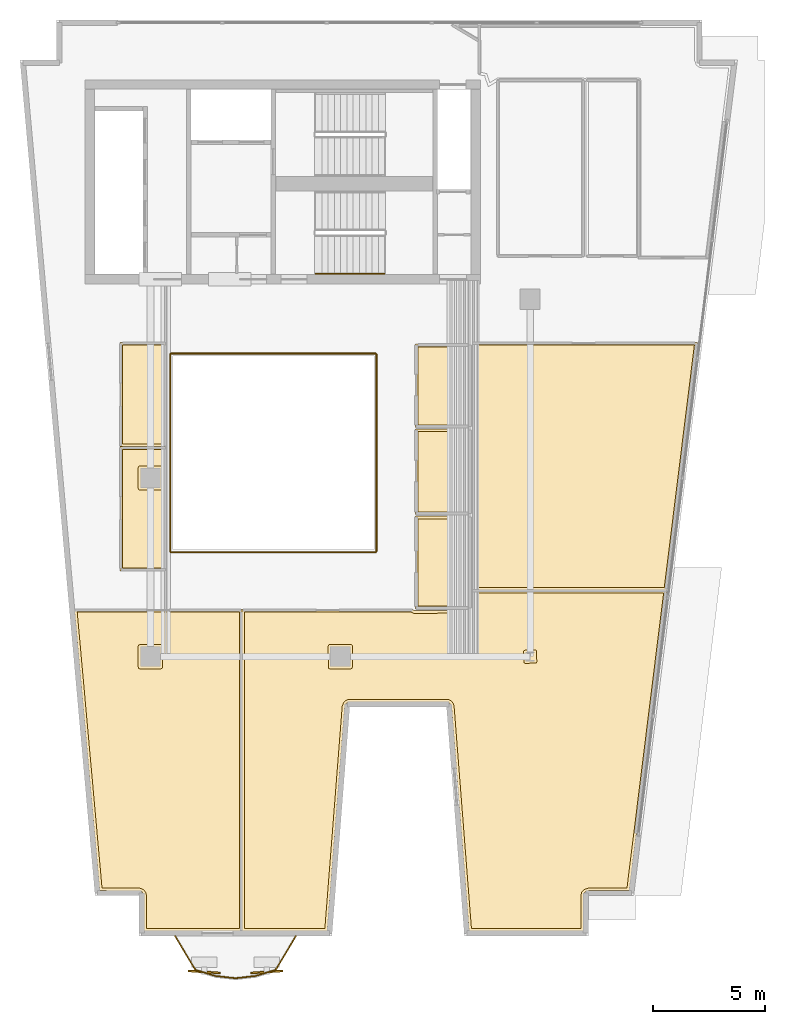
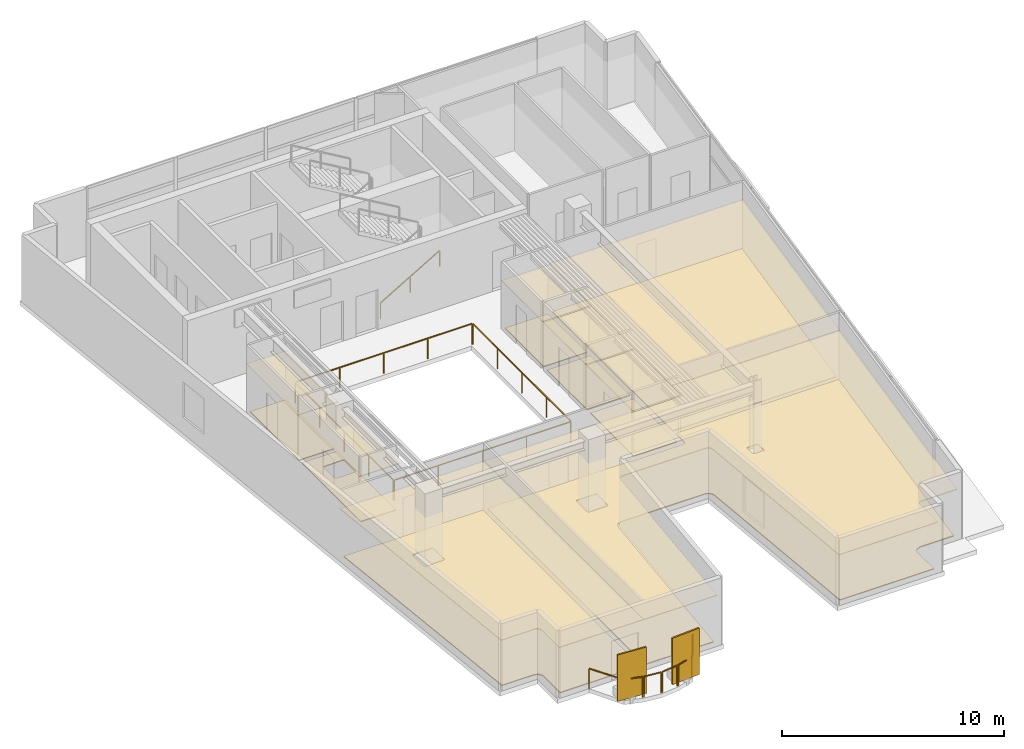
# One storey, part 7 of 8: 16 coverings, 11 railings, 2 shading devices.
"""IFC4 building model written with IfcOpenShell, lengths in metres."""

from ifc_helpers import new_model, si_unit, direction, frame, origin, origin_2d, place, context, subcontext, project, spatial, polyline, rectangle, outline, extrude, material, layer, layer_set, type_object, element, save


model = new_model("IFC4")

# Units and contexts
model_context = context("Model", 3, precision=1e-05, world=origin(), true_north=direction((0.0, 1.0)))
body_context = subcontext(model_context, "Body", "Model", "MODEL_VIEW")
ifc_project = project(units=[si_unit("LENGTHUNIT", "METRE"), si_unit("AREAUNIT", "SQUARE_METRE"), si_unit("VOLUMEUNIT", "CUBIC_METRE"), si_unit("PLANEANGLEUNIT", "RADIAN"), si_unit("MASSUNIT", "GRAM", prefix="KILO")], contexts=[model_context])

# Site, building, storey
site_placement = place(None, origin())
site = spatial("IfcSite", under=ifc_project, at=site_placement, CompositionType="ELEMENT")
building_placement = place(site_placement, origin())
building = spatial("IfcBuilding", under=site, at=building_placement, Name="Caeloran Harvest Quay", CompositionType="ELEMENT")
storey_placement = place(building_placement, frame((0.0, 0.0, 256.699951171875)))
storey = spatial("IfcBuildingStorey", under=building, at=storey_placement, Name="L61", CompositionType="ELEMENT", Elevation=256.699951171875)

# Coverings
ifc_material_1 = material(Name="Perforated Mineral-Fibre Acoustic Ceiling Tile", Category="ceiling")
ifc_layer_1 = layer(ifc_material_1, 0.0400390625, Name="Perforated Mineral-Fibre Acoustic Ceiling Tile")
ifc_layer_set_1 = layer_set([ifc_layer_1], Name="Perforated Mineral-Fibre Acoustic Ceiling Tile")
covering_type_1 = type_object("IfcCoveringType", Name="COV-CEILING-ACOUSTIC", PredefinedType="CEILING", material=ifc_layer_set_1)
covering_1_placement = place(storey_placement, frame((0.0, 0.0, 2.60009765625)))
element("IfcCovering", 1, at=covering_1_placement, inside=storey, type_object=covering_type_1, Name="L61 Male Washroom WC Acoustic Ceiling", PredefinedType="CEILING", context=body_context, shape_type="SweptSolid", body=[
    extrude(outline(polyline([(22.840087890625, 28.989990234375), (22.840087890625, 25.260009765625), (20.360107421875, 25.260009765625), (20.360107421875, 28.989990234375), (22.840087890625, 28.989990234375)])), origin(), (0.0, 0.0, 1.0), 0.0400390625),
])
covering_2_placement = place(storey_placement, frame((0.0, 0.0, 2.60009765625)))
element("IfcCovering", 2, at=covering_2_placement, inside=storey, type_object=covering_type_1, Name="L61 Female Washroom WC Acoustic Ceiling", PredefinedType="CEILING", context=body_context, shape_type="SweptSolid", body=[
    extrude(outline(polyline([(22.840087890625, 25.18994140625), (22.840087890625, 21.360107421875), (20.360107421875, 21.360107421875), (20.360107421875, 25.18994140625), (22.840087890625, 25.18994140625)])), origin(), (0.0, 0.0, 1.0), 0.0400390625),
])
covering_3_placement = place(storey_placement, frame((0.0, 0.0, 2.60009765625)))
element("IfcCovering", 3, at=covering_3_placement, inside=storey, type_object=covering_type_1, Name="L61 Accessible Unisex Washroom WC Acoustic Ceiling", PredefinedType="CEILING", context=body_context, shape_type="SweptSolid", body=[
    extrude(outline(polyline([(22.840087890625, 21.2900390625), (22.840087890625, 17.139892578125), (20.360107421875, 17.139892578125), (20.360107421875, 21.2900390625), (22.840087890625, 21.2900390625)])), origin(), (0.0, 0.0, 1.0), 0.0400390625),
])
covering_4_placement = place(storey_placement, frame((0.0, 0.0, 2.60009765625)))
element("IfcCovering", 4, at=covering_4_placement, inside=storey, type_object=covering_type_1, Name="Boutique Family-Office Chambers Acoustic Ceiling", PredefinedType="CEILING", context=body_context, shape_type="SweptSolid", body=[
    extrude(outline(polyline([(8.179443359375, 4.40380859375), (8.107666015625, 4.48291015625), (8.007080078125, 4.518798828125), (6.224853515625, 4.52001953125), (5.093017578125, 17.110107421875), (12.60009765625, 17.110107421875), (12.60009765625, 2.719970703125), (8.20556640625, 2.719970703125), (8.20556640625, 4.299072265625), (8.179443359375, 4.40380859375)])), origin(), (0.0, 0.0, 1.0), 0.0400390625),
])
covering_5_placement = place(storey_placement, frame((0.0, 0.0, 2.60009765625)))
element("IfcCovering", 5, at=covering_5_placement, inside=storey, type_object=covering_type_1, Name="Philanthropy Impact Office Acoustic Ceiling", PredefinedType="CEILING", context=body_context, shape_type="SweptSolid", body=[
    extrude(outline(polyline([(22.8701171875, 17.06005859375), (22.8701171875, 17.97998046875), (31.6103515625, 17.97998046875), (29.939453125, 4.52001953125), (28.111572265625, 4.52001953125), (28.046630859375, 4.510498046875), (27.970947265625, 4.469970703125), (27.9072265625, 4.38427734375), (27.890380859375, 4.299072265625), (27.890380859375, 2.719970703125), (22.75927734375, 2.719970703125), (21.97509765625, 12.76611328125), (21.951171875, 12.850830078125), (21.860595703125, 12.943359375), (21.754638671875, 12.969970703125), (17.402587890625, 12.968994140625), (17.339111328125, 12.95263671875), (17.267333984375, 12.90380859375), (17.219970703125, 12.830810546875), (17.205078125, 12.76611328125), (16.4208984375, 2.719970703125), (12.60009765625, 2.719970703125), (12.60009765625, 17.110107421875), (20.23828125, 17.110107421875), (20.2900390625, 17.0791015625), (20.2900390625, 17.06005859375), (22.8701171875, 17.06005859375)])), origin(), (0.0, 0.0, 1.0), 0.0400390625),
])
covering_6_placement = place(storey_placement, frame((0.0, 0.0, 2.60009765625)))
element("IfcCovering", 6, at=covering_6_placement, inside=storey, type_object=covering_type_1, Name="Quantitative Strategy Laboratory Acoustic Ceiling", PredefinedType="CEILING", context=body_context, shape_type="SweptSolid", body=[
    extrude(outline(polyline([(7.139892578125, 18.840087890625), (7.139892578125, 24.39990234375), (9.2099609375, 24.39990234375), (9.2099609375, 18.840087890625), (7.139892578125, 18.840087890625)])), origin(), (0.0, 0.0, 1.0), 0.0400390625),
])
covering_7_placement = place(storey_placement, frame((0.0, 0.0, 2.60009765625)))
element("IfcCovering", 7, at=covering_7_placement, inside=storey, type_object=covering_type_1, Name="Investment Committee Boardroom Acoustic Ceiling", PredefinedType="CEILING", context=body_context, shape_type="SweptSolid", body=[
    extrude(outline(polyline([(32.98583984375, 29.06005859375), (31.6103515625, 17.97998046875), (22.8701171875, 17.97998046875), (22.8701171875, 29.06005859375), (32.98583984375, 29.06005859375)])), origin(), (0.0, 0.0, 1.0), 0.0400390625),
])
covering_8_placement = place(storey_placement, frame((0.0, 0.0, 2.60009765625)))
element("IfcCovering", 8, at=covering_8_placement, inside=storey, type_object=covering_type_1, Name="Harbour Sky Salon Lounge Acoustic Ceiling", PredefinedType="CEILING", context=body_context, shape_type="SweptSolid", body=[
    extrude(outline(polyline([(7.139892578125, 24.39990234375), (7.139892578125, 29.06005859375), (9.2099609375, 29.06005859375), (9.2099609375, 24.39990234375), (7.139892578125, 24.39990234375)])), origin(), (0.0, 0.0, 1.0), 0.0400390625),
])
ifc_material_2 = material(Name="Calcium-Sulphate Raised Access Floor and Terrazzo Finish", Category="flooring")
ifc_layer_2 = layer(ifc_material_2, 0.050048828125, Name="Calcium-Sulphate Raised Access Floor and Terrazzo Finish")
ifc_layer_set_2 = layer_set([ifc_layer_2], Name="Calcium-Sulphate Raised Access Floor and Terrazzo Finish")
covering_type_2 = type_object("IfcCoveringType", Name="COV-FLOOR-RAISED", PredefinedType="FLOORING", material=ifc_layer_set_2)
covering_9_placement = place(storey_placement, origin())
element("IfcCovering", 9, at=covering_9_placement, inside=storey, type_object=covering_type_2, Name="L61 Male Washroom WC Raised Finish Flooring", PredefinedType="FLOORING", context=body_context, shape_type="SweptSolid", body=[
    extrude(outline(polyline([(22.719970703125, 28.8701171875), (22.719970703125, 25.3798828125), (20.47998046875, 25.3798828125), (20.47998046875, 28.8701171875), (22.719970703125, 28.8701171875)])), origin(), (0.0, 0.0, 1.0), 0.050048828125),
])
covering_10_placement = place(storey_placement, origin())
element("IfcCovering", 10, at=covering_10_placement, inside=storey, type_object=covering_type_2, Name="L61 Female Washroom WC Raised Finish Flooring", PredefinedType="FLOORING", context=body_context, shape_type="SweptSolid", body=[
    extrude(outline(polyline([(22.719970703125, 25.070068359375), (22.719970703125, 21.47998046875), (20.47998046875, 21.47998046875), (20.47998046875, 25.070068359375), (22.719970703125, 25.070068359375)])), origin(), (0.0, 0.0, 1.0), 0.050048828125),
])
covering_11_placement = place(storey_placement, origin())
element("IfcCovering", 11, at=covering_11_placement, inside=storey, type_object=covering_type_2, Name="L61 Accessible Unisex Washroom WC Raised Finish Flooring", PredefinedType="FLOORING", context=body_context, shape_type="SweptSolid", body=[
    extrude(outline(polyline([(22.719970703125, 21.169921875), (22.719970703125, 17.260009765625), (20.47998046875, 17.260009765625), (20.47998046875, 21.169921875), (22.719970703125, 21.169921875)])), origin(), (0.0, 0.0, 1.0), 0.050048828125),
])
covering_12_placement = place(storey_placement, origin())
element("IfcCovering", 12, at=covering_12_placement, inside=storey, type_object=covering_type_2, Name="Boutique Family-Office Chambers Raised Finish Flooring", PredefinedType="FLOORING", context=body_context, shape_type="SweptSolid", body=[
    extrude(outline(polyline([(8.301025390625, 4.426513671875), (8.197998046875, 4.565185546875), (8.022705078125, 4.637939453125), (6.33447265625, 4.639892578125), (5.224365234375, 16.989990234375), (12.47998046875, 16.989990234375), (12.47998046875, 2.840087890625), (8.325439453125, 2.840087890625), (8.325439453125, 4.300048828125), (8.301025390625, 4.426513671875)]), holes=[polyline([(7.955078125, 14.534912109375), (7.978515625, 14.478515625), (8.027099609375, 14.455322265625), (8.965087890625, 14.455078125), (9.021484375, 14.478515625), (9.044921875, 14.534912109375), (9.044921875, 15.465087890625), (9.021484375, 15.521484375), (8.965087890625, 15.544921875), (8.034912109375, 15.544921875), (7.978515625, 15.521484375), (7.955078125, 15.465087890625), (7.955078125, 14.534912109375)])]), origin(), (0.0, 0.0, 1.0), 0.050048828125),
])
covering_13_placement = place(storey_placement, origin())
element("IfcCovering", 13, at=covering_13_placement, inside=storey, type_object=covering_type_2, Name="Philanthropy Impact Office Raised Finish Flooring", PredefinedType="FLOORING", context=body_context, shape_type="SweptSolid", body=[
    extrude(outline(polyline([(20.18798828125, 16.989990234375), (20.280029296875, 16.93994140625), (22.915771484375, 16.946044921875), (22.98974609375, 17.043212890625), (22.989990234375, 17.860107421875), (31.474609375, 17.860107421875), (29.83349609375, 4.639892578125), (28.106689453125, 4.639892578125), (27.891845703125, 4.560302734375), (27.808837890625, 4.456787109375), (27.771728515625, 4.329345703125), (27.7705078125, 2.840087890625), (22.8701171875, 2.840087890625), (22.09423828125, 12.780517578125), (22.0595703125, 12.902099609375), (21.976806640625, 13.008056640625), (21.8837890625, 13.06494140625), (21.755615234375, 13.090087890625), (17.42041015625, 13.08984375), (17.2890625, 13.061767578125), (17.16162109375, 12.965576171875), (17.08544921875, 12.776611328125), (16.31005859375, 2.840087890625), (12.719970703125, 2.840087890625), (12.719970703125, 16.989990234375), (20.18798828125, 16.989990234375)]), holes=[polyline([(25.202392578125, 15.230712890625), (25.22021484375, 14.726318359375), (25.274169921875, 14.697509765625), (25.768798828125, 14.715087890625), (25.798095703125, 14.777099609375), (25.77978515625, 15.273681640625), (25.718017578125, 15.302978515625), (25.231201171875, 15.284912109375), (25.202392578125, 15.230712890625)]), polyline([(16.455078125, 15.465087890625), (16.47314453125, 14.484130859375), (16.527099609375, 14.455322265625), (17.465087890625, 14.455078125), (17.521484375, 14.478515625), (17.544921875, 14.534912109375), (17.544921875, 15.465087890625), (17.521484375, 15.521484375), (17.465087890625, 15.544921875), (16.534912109375, 15.544921875), (16.478515625, 15.521484375), (16.455078125, 15.465087890625)])]), origin(), (0.0, 0.0, 1.0), 0.050048828125),
])
covering_14_placement = place(storey_placement, origin())
element("IfcCovering", 14, at=covering_14_placement, inside=storey, type_object=covering_type_2, Name="Quantitative Strategy Laboratory Raised Finish Flooring", PredefinedType="FLOORING", context=body_context, shape_type="SweptSolid", body=[
    extrude(outline(polyline([(9.090087890625, 18.9599609375), (7.260009765625, 18.9599609375), (7.260009765625, 24.280029296875), (9.090087890625, 24.280029296875), (9.090087890625, 18.9599609375)]), holes=[polyline([(8.965087890625, 23.544921875), (7.984130859375, 23.52685546875), (7.955322265625, 23.472900390625), (7.955078125, 22.534912109375), (7.978515625, 22.478515625), (8.034912109375, 22.455078125), (8.965087890625, 22.455078125), (9.021484375, 22.478515625), (9.044921875, 22.534912109375), (9.044921875, 23.465087890625), (9.021484375, 23.521484375), (8.965087890625, 23.544921875)])]), origin(), (0.0, 0.0, 1.0), 0.050048828125),
])
covering_15_placement = place(storey_placement, origin())
element("IfcCovering", 15, at=covering_15_placement, inside=storey, type_object=covering_type_2, Name="Investment Committee Boardroom Raised Finish Flooring", PredefinedType="FLOORING", context=body_context, shape_type="SweptSolid", body=[
    extrude(outline(polyline([(32.85009765625, 28.93994140625), (31.50439453125, 18.10009765625), (22.989990234375, 18.10009765625), (22.989990234375, 28.93994140625), (32.85009765625, 28.93994140625)])), origin(), (0.0, 0.0, 1.0), 0.050048828125),
])
covering_16_placement = place(storey_placement, origin())
element("IfcCovering", 16, at=covering_16_placement, inside=storey, type_object=covering_type_2, Name="Harbour Sky Salon Lounge Raised Finish Flooring", PredefinedType="FLOORING", context=body_context, shape_type="SweptSolid", body=[
    extrude(outline(polyline([(7.260009765625, 24.52001953125), (7.260009765625, 28.93994140625), (9.090087890625, 28.93994140625), (9.090087890625, 24.52001953125), (7.260009765625, 24.52001953125)])), origin(), (0.0, 0.0, 1.0), 0.050048828125),
])

# Railings
ifc_material_3 = material(Name="Powder-Coated Steel Post and Laminated Glass Guardrail", Category="steel")
ifc_layer_3 = layer(ifc_material_3, 0.06005859375, Name="Powder-Coated Steel Post and Laminated Glass Guardrail")
ifc_layer_set_3 = layer_set([ifc_layer_3], Name="Powder-Coated Steel Post and Laminated Glass Guardrail")
railing_type_1 = type_object("IfcRailingType", Name="GUARD-ATRIUM-1150", PredefinedType="GUARDRAIL", material=ifc_layer_set_3)
railing_1_placement = place(storey_placement, frame((9.412109375, 19.679931640625, 0.0)))
element("IfcRailing", 17, at=railing_1_placement, inside=storey, type_object=railing_type_1, Name="L61 Skylit Atrium Void Perimeter Guardrail Seg 1", PredefinedType="GUARDRAIL", context=body_context, shape_type="SweptSolid", body=[
    extrude(rectangle(XDim=0.048095703125, YDim=0.048095703125, at=origin_2d()), frame((0.0, 0.0, 1.1259765625), z_axis=(1.0, 0.0, 0.0), x_axis=(0.0, 1.0, 0.0)), (0.0, 0.0, 1.0), 9.17578125),
    extrude(rectangle(XDim=0.0419921875, YDim=0.0419921875, at=origin_2d()), origin(), (0.0, 0.0, 1.0), 1.101806640625),
    extrude(rectangle(XDim=0.0419921875, YDim=0.0419921875, at=origin_2d()), frame((2.2939453125, 0.0, 0.0)), (0.0, 0.0, 1.0), 1.101806640625),
    extrude(rectangle(XDim=0.0419921875, YDim=0.0419921875, at=origin_2d()), frame((4.587890625, 0.0, 0.0)), (0.0, 0.0, 1.0), 1.101806640625),
    extrude(rectangle(XDim=0.0419921875, YDim=0.0419921875, at=origin_2d()), frame((6.8818359375, 0.0, 0.0)), (0.0, 0.0, 1.0), 1.101806640625),
    extrude(rectangle(XDim=0.0419921875, YDim=0.0419921875, at=origin_2d()), frame((9.17578125, 0.0, 0.0)), (0.0, 0.0, 1.0), 1.101806640625),
])
railing_2_placement = place(storey_placement, frame((18.6201171875, 19.7119140625, 0.0)))
element("IfcRailing", 18, at=railing_2_placement, inside=storey, type_object=railing_type_1, Name="L61 Skylit Atrium Void Perimeter Guardrail Seg 2", PredefinedType="GUARDRAIL", context=body_context, shape_type="SweptSolid", body=[
    extrude(rectangle(XDim=0.048095703125, YDim=0.048095703125, at=origin_2d()), frame((0.0, 0.0, 1.1259765625), z_axis=(0.0, 1.0, 0.0), x_axis=(-1.0, 0.0, 0.0)), (0.0, 0.0, 1.0), 8.826171875),
    extrude(rectangle(XDim=0.0419921875, YDim=0.0419921875, at=origin_2d()), origin(), (0.0, 0.0, 1.0), 1.101806640625),
    extrude(rectangle(XDim=0.0419921875, YDim=0.0419921875, at=origin_2d()), frame((0.0, 2.20654296875, 0.0)), (0.0, 0.0, 1.0), 1.101806640625),
    extrude(rectangle(XDim=0.0419921875, YDim=0.0419921875, at=origin_2d()), frame((0.0, 4.4130859375, 0.0)), (0.0, 0.0, 1.0), 1.101806640625),
    extrude(rectangle(XDim=0.0419921875, YDim=0.0419921875, at=origin_2d()), frame((0.0, 6.61962890625, 0.0)), (0.0, 0.0, 1.0), 1.101806640625),
    extrude(rectangle(XDim=0.0419921875, YDim=0.0419921875, at=origin_2d()), frame((0.0, 8.826171875, 0.0)), (0.0, 0.0, 1.0), 1.101806640625),
])
railing_3_placement = place(storey_placement, frame((18.587890625, 28.570068359375, 0.0)))
element("IfcRailing", 19, at=railing_3_placement, inside=storey, type_object=railing_type_1, Name="L61 Skylit Atrium Void Perimeter Guardrail Seg 3", PredefinedType="GUARDRAIL", context=body_context, shape_type="SweptSolid", body=[
    extrude(rectangle(XDim=0.048095703125, YDim=0.048095703125, at=origin_2d()), frame((0.0, 0.0, 1.1259765625), z_axis=(-1.0, 0.0, 0.0), x_axis=(0.0, -1.0, 0.0)), (0.0, 0.0, 1.0), 9.17578125),
    extrude(rectangle(XDim=0.0419921875, YDim=0.0419921875, at=origin_2d()), origin(), (0.0, 0.0, 1.0), 1.101806640625),
    extrude(rectangle(XDim=0.0419921875, YDim=0.0419921875, at=origin_2d()), frame((-2.2939453125, 0.0, 0.0)), (0.0, 0.0, 1.0), 1.101806640625),
    extrude(rectangle(XDim=0.0419921875, YDim=0.0419921875, at=origin_2d()), frame((-4.587890625, 0.0, 0.0)), (0.0, 0.0, 1.0), 1.101806640625),
    extrude(rectangle(XDim=0.0419921875, YDim=0.0419921875, at=origin_2d()), frame((-6.8818359375, 0.0, 0.0)), (0.0, 0.0, 1.0), 1.101806640625),
    extrude(rectangle(XDim=0.0419921875, YDim=0.0419921875, at=origin_2d()), frame((-9.17578125, 0.0, 0.0)), (0.0, 0.0, 1.0), 1.101806640625),
])
railing_4_placement = place(storey_placement, frame((9.3798828125, 28.5380859375, 0.0)))
element("IfcRailing", 20, at=railing_4_placement, inside=storey, type_object=railing_type_1, Name="L61 Skylit Atrium Void Perimeter Guardrail Seg 4", PredefinedType="GUARDRAIL", context=body_context, shape_type="SweptSolid", body=[
    extrude(rectangle(XDim=0.048095703125, YDim=0.048095703125, at=origin_2d()), frame((0.0, 0.0, 1.1259765625), z_axis=(0.0, -1.0, 0.0), x_axis=(1.0, 0.0, 0.0)), (0.0, 0.0, 1.0), 8.826171875),
    extrude(rectangle(XDim=0.0419921875, YDim=0.0419921875, at=origin_2d()), origin(), (0.0, 0.0, 1.0), 1.101806640625),
    extrude(rectangle(XDim=0.0419921875, YDim=0.0419921875, at=origin_2d()), frame((0.0, -2.20654296875, 0.0)), (0.0, 0.0, 1.0), 1.101806640625),
    extrude(rectangle(XDim=0.0419921875, YDim=0.0419921875, at=origin_2d()), frame((0.0, -4.4130859375, 0.0)), (0.0, 0.0, 1.0), 1.101806640625),
    extrude(rectangle(XDim=0.0419921875, YDim=0.0419921875, at=origin_2d()), frame((0.0, -6.61962890625, 0.0)), (0.0, 0.0, 1.0), 1.101806640625),
    extrude(rectangle(XDim=0.0419921875, YDim=0.0419921875, at=origin_2d()), frame((0.0, -8.826171875, 0.0)), (0.0, 0.0, 1.0), 1.101806640625),
])
ifc_material_4 = material(Name="Laminated Safety Glass and Stainless Steel 316", Category="steel")
ifc_layer_4 = layer(ifc_material_4, 0.06005859375, Name="Laminated Safety Glass and Stainless Steel 316")
ifc_layer_set_4 = layer_set([ifc_layer_4], Name="Laminated Safety Glass and Stainless Steel 316")
railing_type_2 = type_object("IfcRailingType", Name="GUARD-BALUSTRADE-1150", PredefinedType="BALUSTRADE", material=ifc_layer_set_4)
railing_5_placement = place(storey_placement, frame((15.00048828125, 2.47998046875, 0.0)))
element("IfcRailing", 21, at=railing_5_placement, inside=storey, type_object=railing_type_2, Name="L61 Planted Balcony Perimeter Balustrade Guard Seg 1", PredefinedType="BALUSTRADE", context=body_context, shape_type="SweptSolid", body=[
    extrude(rectangle(XDim=0.048095703125, YDim=0.048095703125, at=origin_2d()), frame((0.0, 0.0, 1.1259765625), z_axis=(-0.512530176064, -0.858669213739, 0.0), x_axis=(0.858669213739, -0.512530176064, 0.0)), (0.0, 0.0, 1.0), 1.71826171875),
    extrude(rectangle(XDim=0.0419921875, YDim=0.0419921875, at=origin_2d()), origin(), (0.0, 0.0, 1.0), 1.101806640625),
    extrude(rectangle(XDim=0.0419921875, YDim=0.0419921875, at=origin_2d()), frame((-0.880615234375, -1.475341796875, 0.0)), (0.0, 0.0, 1.0), 1.101806640625),
])
railing_6_placement = place(storey_placement, frame((14.072998046875, 0.968017578125, 0.0)))
element("IfcRailing", 22, at=railing_6_placement, inside=storey, type_object=railing_type_2, Name="L61 Planted Balcony Perimeter Balustrade Guard Seg 2", PredefinedType="BALUSTRADE", context=body_context, shape_type="SweptSolid", body=[
    extrude(rectangle(XDim=0.048095703125, YDim=0.048095703125, at=origin_2d()), frame((0.0, 0.0, 1.1259765625), z_axis=(-0.95660279813, -0.291395069641, 0.0), x_axis=(0.291395069641, -0.95660279813, 0.0)), (0.0, 0.0, 1.0), 0.873779296875),
    extrude(rectangle(XDim=0.0419921875, YDim=0.0419921875, at=origin_2d()), origin(), (0.0, 0.0, 1.0), 1.101806640625),
    extrude(rectangle(XDim=0.0419921875, YDim=0.0419921875, at=origin_2d()), frame((-0.8359375, -0.254638671875, 0.0)), (0.0, 0.0, 1.0), 1.101806640625),
])
railing_7_placement = place(storey_placement, frame((13.1748046875, 0.70068359375, 0.0)))
element("IfcRailing", 23, at=railing_7_placement, inside=storey, type_object=railing_type_2, Name="L61 Planted Balcony Perimeter Balustrade Guard Seg 3", PredefinedType="BALUSTRADE", context=body_context, shape_type="SweptSolid", body=[
    extrude(rectangle(XDim=0.048095703125, YDim=0.048095703125, at=origin_2d()), frame((0.0, 0.0, 1.1259765625), z_axis=(-0.993862415177, -0.110623233089, 0.0), x_axis=(0.110623233089, -0.993862415177, 0.0)), (0.0, 0.0, 1.0), 0.838623046875),
    extrude(rectangle(XDim=0.0419921875, YDim=0.0419921875, at=origin_2d()), origin(), (0.0, 0.0, 1.0), 1.101806640625),
    extrude(rectangle(XDim=0.0419921875, YDim=0.0419921875, at=origin_2d()), frame((-0.83349609375, -0.0927734375, 0.0)), (0.0, 0.0, 1.0), 1.101806640625),
])
railing_8_placement = place(storey_placement, frame((12.277587890625, 0.60791015625, 0.0)))
element("IfcRailing", 24, at=railing_8_placement, inside=storey, type_object=railing_type_2, Name="L61 Planted Balcony Perimeter Balustrade Guard Seg 4", PredefinedType="BALUSTRADE", context=body_context, shape_type="SweptSolid", body=[
    extrude(rectangle(XDim=0.048095703125, YDim=0.048095703125, at=origin_2d()), frame((0.0, 0.0, 1.1259765625), z_axis=(-0.993858851125, 0.110655248587, 0.0), x_axis=(-0.110655248587, -0.993858851125, 0.0)), (0.0, 0.0, 1.0), 0.83837890625),
    extrude(rectangle(XDim=0.0419921875, YDim=0.0419921875, at=origin_2d()), origin(), (0.0, 0.0, 1.0), 1.101806640625),
    extrude(rectangle(XDim=0.0419921875, YDim=0.0419921875, at=origin_2d()), frame((-0.833251953125, 0.0927734375, 0.0)), (0.0, 0.0, 1.0), 1.101806640625),
])
railing_9_placement = place(storey_placement, frame((11.3818359375, 0.71337890625, 0.0)))
element("IfcRailing", 25, at=railing_9_placement, inside=storey, type_object=railing_type_2, Name="L61 Planted Balcony Perimeter Balustrade Guard Seg 5", PredefinedType="BALUSTRADE", context=body_context, shape_type="SweptSolid", body=[
    extrude(rectangle(XDim=0.048095703125, YDim=0.048095703125, at=origin_2d()), frame((0.0, 0.0, 1.1259765625), z_axis=(-0.956579066016, 0.291472966946, 0.0), x_axis=(-0.291472966946, -0.956579066016, 0.0)), (0.0, 0.0, 1.0), 0.87353515625),
    extrude(rectangle(XDim=0.0419921875, YDim=0.0419921875, at=origin_2d()), origin(), (0.0, 0.0, 1.0), 1.101806640625),
    extrude(rectangle(XDim=0.0419921875, YDim=0.0419921875, at=origin_2d()), frame((-0.835693359375, 0.254638671875, 0.0)), (0.0, 0.0, 1.0), 1.101806640625),
])
railing_10_placement = place(storey_placement, frame((10.4990234375, 1.004638671875, 0.0)))
element("IfcRailing", 26, at=railing_10_placement, inside=storey, type_object=railing_type_2, Name="L61 Planted Balcony Perimeter Balustrade Guard Seg 6", PredefinedType="BALUSTRADE", context=body_context, shape_type="SweptSolid", body=[
    extrude(rectangle(XDim=0.048095703125, YDim=0.048095703125, at=origin_2d()), frame((0.0, 0.0, 1.1259765625), z_axis=(-0.512530176064, 0.858669213739, 0.0), x_axis=(-0.858669213739, -0.512530176064, 0.0)), (0.0, 0.0, 1.0), 1.71826171875),
    extrude(rectangle(XDim=0.0419921875, YDim=0.0419921875, at=origin_2d()), origin(), (0.0, 0.0, 1.0), 1.101806640625),
    extrude(rectangle(XDim=0.0419921875, YDim=0.0419921875, at=origin_2d()), frame((-0.880615234375, 1.475341796875, 0.0)), (0.0, 0.0, 1.0), 1.101806640625),
])

# Shading devices
ifc_material_5 = material(Name="3003-H14 Perforated Powder-Coated Aluminium", Category="aluminium")
shading_device_type = type_object("IfcShadingDeviceType", Name="SHADE-SCREEN-FOLDED", PredefinedType="USERDEFINED", material=ifc_material_5)
for number, where, z_axis, x_axis, name in (
    (27, (13.708740234375, 0.883544921875, 0.0751953125), (0.0, 0.0, 1.0), (0.997801468292, 0.0662739004, 0.0), "L61 Folded Facade Breathing Screen 1"),
    (28, (10.91015625, 0.883544921875, 0.0751953125), (0.0, 0.0, 1.0), (0.997801468292, -0.0662739004, 0.0), "L61 Folded Facade Breathing Screen 2"),
):
    element("IfcShadingDevice", number, at=place(storey_placement, frame(where, z_axis=z_axis, x_axis=x_axis)), inside=storey, type_object=shading_device_type, Name=name, ObjectType="SCREEN", PredefinedType="USERDEFINED", context=body_context, shape_type="SweptSolid", body=[
        extrude(rectangle(XDim=1.449951171875, YDim=0.080078125, at=origin_2d()), origin(), (0.0, 0.0, 1.0), 2.550048828125),
    ])

# Railing
ifc_material_6 = material(Name="Brushed Stainless Steel Grade 304", Category="steel")
ifc_layer_5 = layer(ifc_material_6, 0.050048828125, Name="Brushed Stainless Steel Grade 304")
ifc_layer_set_5 = layer_set([ifc_layer_5], Name="Brushed Stainless Steel Grade 304")
railing_type_3 = type_object("IfcRailingType", Name="STAIR-HANDRAIL-900", PredefinedType="HANDRAIL", material=ifc_layer_set_5)
railing_11_placement = place(storey_placement, frame((15.89990234375, 32.14990234375, 0.16455078125)))
element("IfcRailing", 29, at=railing_11_placement, inside=storey, type_object=railing_type_3, Name="L61 ST-C2 stair handrail 1", PredefinedType="HANDRAIL", context=body_context, shape_type="SweptSolid", body=[
    extrude(rectangle(XDim=0.048095703125, YDim=0.048095703125, at=origin_2d()), frame((0.0, 0.0, 0.8759765625), z_axis=(0.862088758681, 0.0, 0.506757310905), x_axis=(0.0, 1.0, 0.0)), (0.0, 0.0, 1.0), 3.57275390625),
    extrude(rectangle(XDim=0.0419921875, YDim=0.0419921875, at=origin_2d()), origin(), (0.0, 0.0, 1.0), 0.851806640625),
    extrude(rectangle(XDim=0.0419921875, YDim=0.0419921875, at=origin_2d()), frame((1.5400390625, 0.0, 0.9052734375)), (0.0, 0.0, 1.0), 0.851806640625),
    extrude(rectangle(XDim=0.0419921875, YDim=0.0419921875, at=origin_2d()), frame((3.080078125, 0.0, 1.810546875)), (0.0, 0.0, 1.0), 0.851806640625),
])

save(model, "model.ifc")
